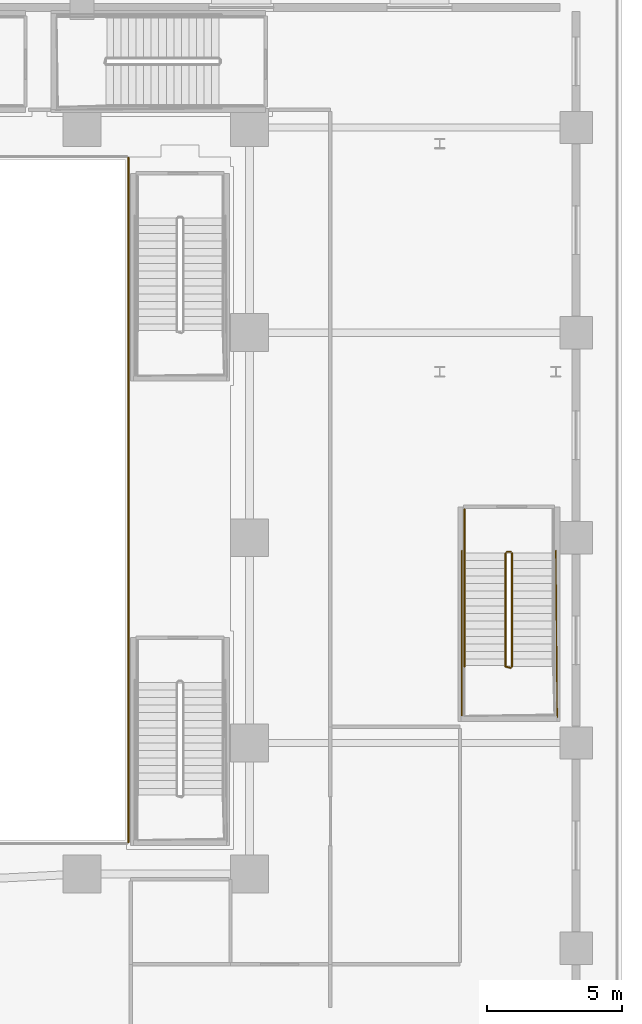
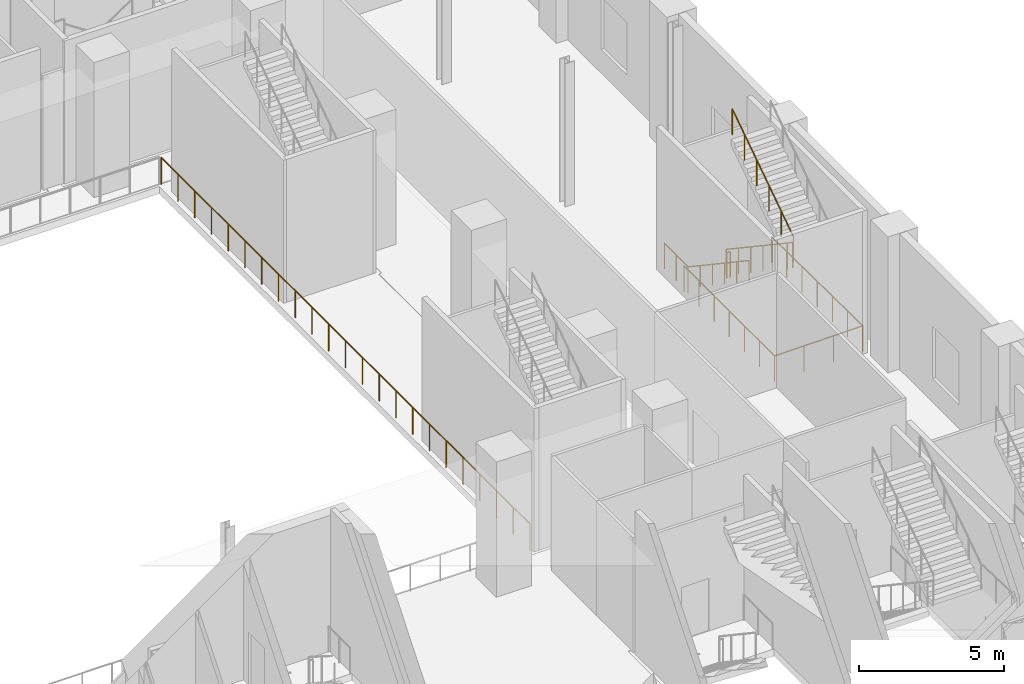
# One storey, part 27 of 29: 7 railings.
"""IFC4 building model written with IfcOpenShell, lengths in metres."""

from ifc_helpers import new_model, si_unit, direction, frame, origin, origin_2d, place, context, subcontext, project, spatial, circle, extrude, material, layer, layer_set, type_object, element, save


model = new_model("IFC4")

# Units and contexts
model_context = context("Model", 3, precision=1e-05, world=origin(), true_north=direction((0.0, 1.0)))
body_context = subcontext(model_context, "Body", "Model", "MODEL_VIEW")
ifc_project = project(units=[si_unit("LENGTHUNIT", "METRE"), si_unit("AREAUNIT", "SQUARE_METRE"), si_unit("VOLUMEUNIT", "CUBIC_METRE"), si_unit("PLANEANGLEUNIT", "RADIAN"), si_unit("MASSUNIT", "GRAM", prefix="KILO")], contexts=[model_context])

# Site, building, storey
site_placement = place(None, origin())
site = spatial("IfcSite", under=ifc_project, at=site_placement, CompositionType="ELEMENT")
building_placement = place(site_placement, origin())
building = spatial("IfcBuilding", under=site, at=building_placement, Name="Ndaravel Arena Tower", CompositionType="ELEMENT")
storey_placement = place(building_placement, frame((0.0, 0.0, 12.0)))
storey = spatial("IfcBuildingStorey", under=building, at=storey_placement, Name="L02", CompositionType="ELEMENT", Elevation=12.0)

# Railings
ifc_material_1 = material(Name="Steel S355", Category="steel")
ifc_layer_1 = layer(ifc_material_1, 0.06005859375)
ifc_layer_set_1 = layer_set([ifc_layer_1], Name="Steel S355")
railing_type_1 = type_object("IfcRailingType", Name="RAIL-STAIR-GD1100", PredefinedType="GUARDRAIL", material=ifc_layer_set_1)
railing_1_placement = place(storey_placement, frame((79.68994140625, 27.22998046875, 0.1875)))
element("IfcRailing", 1, at=railing_1_placement, inside=storey, type_object=railing_type_1, Name="L02 ST-A12 stair guard 1", PredefinedType="GUARDRAIL", context=body_context, shape_type="SweptSolid", body=[
    extrude(circle(Radius=0.02392578125, at=origin_2d()), frame((0.0, 0.0, 1.076171875), z_axis=(0.0, -0.830904186295, 0.556415522067), x_axis=(1.0, 0.0, 0.0)), (0.0, 0.0, 1.0), 5.0546875),
    extrude(circle(Radius=0.02392578125, at=origin_2d()), frame((0.0, -4.199951171875, 3.888671875), z_axis=(0.966993988697, -0.254799187253, 0.0), x_axis=(0.254799187253, 0.966993988697, 0.0)), (0.0, 0.0, 1.0), 0.196533203125),
    extrude(circle(Radius=0.02099609375, at=origin_2d()), origin(), (0.0, 0.0, 1.0), 1.052001953125),
    extrude(circle(Radius=0.02099609375, at=origin_2d()), frame((0.0, -0.840087890625, 0.5625)), (0.0, 0.0, 1.0), 1.052001953125),
    extrude(circle(Radius=0.02099609375, at=origin_2d()), frame((0.0, -1.679931640625, 1.125)), (0.0, 0.0, 1.0), 1.052001953125),
    extrude(circle(Radius=0.02099609375, at=origin_2d()), frame((0.0, -2.52001953125, 1.6875)), (0.0, 0.0, 1.0), 1.052001953125),
    extrude(circle(Radius=0.02099609375, at=origin_2d()), frame((0.0, -3.35986328125, 2.25)), (0.0, 0.0, 1.0), 1.052001953125),
    extrude(circle(Radius=0.02099609375, at=origin_2d()), frame((0.0, -4.199951171875, 2.8125)), (0.0, 0.0, 1.0), 1.052001953125),
    extrude(circle(Radius=0.02099609375, at=origin_2d()), frame((0.18994140625, -4.25, 2.8125)), (0.0, 0.0, 1.0), 1.052001953125),
])
railing_2_placement = place(storey_placement, frame((79.929931640625, 23.030029296875, 3.1875)))
element("IfcRailing", 2, at=railing_2_placement, inside=storey, type_object=railing_type_1, Name="L02 ST-A12 stair guard 3", PredefinedType="GUARDRAIL", context=body_context, shape_type="SweptSolid", body=[
    extrude(circle(Radius=0.02392578125, at=origin_2d()), frame((0.0, 0.0, 1.076171875), z_axis=(0.0, 0.830904186295, 0.556415522067), x_axis=(-1.0, 0.0, 0.0)), (0.0, 0.0, 1.0), 5.0546875),
    extrude(circle(Radius=0.02099609375, at=origin_2d()), origin(), (0.0, 0.0, 1.0), 1.052001953125),
    extrude(circle(Radius=0.02099609375, at=origin_2d()), frame((0.0, 0.840087890625, 0.5625)), (0.0, 0.0, 1.0), 1.052001953125),
    extrude(circle(Radius=0.02099609375, at=origin_2d()), frame((0.0, 1.679931640625, 1.125)), (0.0, 0.0, 1.0), 1.052001953125),
    extrude(circle(Radius=0.02099609375, at=origin_2d()), frame((0.0, 2.52001953125, 1.6875)), (0.0, 0.0, 1.0), 1.052001953125),
    extrude(circle(Radius=0.02099609375, at=origin_2d()), frame((0.0, 3.35986328125, 2.25)), (0.0, 0.0, 1.0), 1.052001953125),
    extrude(circle(Radius=0.02099609375, at=origin_2d()), frame((0.0, 4.199951171875, 2.8125)), (0.0, 0.0, 1.0), 1.052001953125),
])
railing_3_placement = place(storey_placement, frame((79.739990234375, 27.280029296875, 0.0)))
element("IfcRailing", 3, at=railing_3_placement, inside=storey, type_object=railing_type_1, Name="L02 ST-A12 stair guard 4", PredefinedType="GUARDRAIL", context=body_context, shape_type="SweptSolid", body=[
    extrude(circle(Radius=0.02392578125, at=origin_2d()), frame((0.0, 0.0, 1.076171875), z_axis=(1.0, 0.0, 0.0), x_axis=(0.0, 1.0, 0.0)), (0.0, 0.0, 1.0), 0.139892578125),
    extrude(circle(Radius=0.02099609375, at=origin_2d()), origin(), (0.0, 0.0, 1.0), 1.052001953125),
    extrude(circle(Radius=0.02099609375, at=origin_2d()), frame((0.139892578125, 0.0, 0.0)), (0.0, 0.0, 1.0), 1.052001953125),
])
railing_4_placement = place(storey_placement, frame((78.169921875, 28.85009765625, 0.0)))
element("IfcRailing", 4, at=railing_4_placement, inside=storey, type_object=railing_type_1, Name="L02 ST-A12 stair guard 5", PredefinedType="GUARDRAIL", context=body_context, shape_type="SweptSolid", body=[
    extrude(circle(Radius=0.02392578125, at=origin_2d()), frame((0.0, 0.0, 1.076171875), z_axis=(0.0, -1.0, 0.0), x_axis=(1.0, 0.0, 0.0)), (0.0, 0.0, 1.0), 1.6201171875),
    extrude(circle(Radius=0.02099609375, at=origin_2d()), origin(), (0.0, 0.0, 1.0), 1.052001953125),
    extrude(circle(Radius=0.02099609375, at=origin_2d()), frame((0.0, -0.81005859375, 0.0)), (0.0, 0.0, 1.0), 1.052001953125),
    extrude(circle(Radius=0.02099609375, at=origin_2d()), frame((0.0, -1.6201171875, 0.0)), (0.0, 0.0, 1.0), 1.052001953125),
])
railing_5_placement = place(storey_placement, frame((78.070068359375, 27.330078125, 0.0)))
element("IfcRailing", 5, at=railing_5_placement, inside=storey, type_object=railing_type_1, Name="L02 ST-A12 stair guard 7", PredefinedType="GUARDRAIL", context=body_context, shape_type="SweptSolid", body=[
    extrude(circle(Radius=0.02392578125, at=origin_2d()), frame((0.0, 0.0, 1.076171875), z_axis=(0.0, -1.0, 0.0), x_axis=(1.0, 0.0, 0.0)), (0.0, 0.0, 1.0), 6.22998046875),
    extrude(circle(Radius=0.02392578125, at=origin_2d()), frame((0.0, -6.22998046875, 1.076171875), z_axis=(0.999900484898, 0.014107455489, 0.0), x_axis=(-0.014107455489, 0.999900484898, 0.0)), (0.0, 0.0, 1.0), 3.5302734375),
    extrude(circle(Radius=0.02392578125, at=origin_2d()), frame((3.530029296875, -6.18017578125, 1.076171875), z_axis=(-0.008098019995, 0.999967210499, 0.0), x_axis=(-0.999967210499, -0.008098019995, 0.0)), (0.0, 0.0, 1.0), 6.180419921875),
    extrude(circle(Radius=0.02099609375, at=origin_2d()), origin(), (0.0, 0.0, 1.0), 1.052001953125),
    extrude(circle(Radius=0.02099609375, at=origin_2d()), frame((0.0, -1.038330078125, 0.0)), (0.0, 0.0, 1.0), 1.052001953125),
    extrude(circle(Radius=0.02099609375, at=origin_2d()), frame((0.0, -2.07666015625, 0.0)), (0.0, 0.0, 1.0), 1.052001953125),
    extrude(circle(Radius=0.02099609375, at=origin_2d()), frame((0.0, -3.114990234375, 0.0)), (0.0, 0.0, 1.0), 1.052001953125),
    extrude(circle(Radius=0.02099609375, at=origin_2d()), frame((0.0, -4.1533203125, 0.0)), (0.0, 0.0, 1.0), 1.052001953125),
    extrude(circle(Radius=0.02099609375, at=origin_2d()), frame((0.0, -5.191650390625, 0.0)), (0.0, 0.0, 1.0), 1.052001953125),
    extrude(circle(Radius=0.02099609375, at=origin_2d()), frame((0.0, -6.22998046875, 0.0)), (0.0, 0.0, 1.0), 1.052001953125),
    extrude(circle(Radius=0.02099609375, at=origin_2d()), frame((1.1767578125, -6.21337890625, 0.0)), (0.0, 0.0, 1.0), 1.052001953125),
    extrude(circle(Radius=0.02099609375, at=origin_2d()), frame((2.353271484375, -6.19677734375, 0.0)), (0.0, 0.0, 1.0), 1.052001953125),
    extrude(circle(Radius=0.02099609375, at=origin_2d()), frame((3.530029296875, -6.18017578125, 0.0)), (0.0, 0.0, 1.0), 1.052001953125),
    extrude(circle(Radius=0.02099609375, at=origin_2d()), frame((3.521728515625, -5.150146484375, 0.0)), (0.0, 0.0, 1.0), 1.052001953125),
    extrude(circle(Radius=0.02099609375, at=origin_2d()), frame((3.513427734375, -4.1201171875, 0.0)), (0.0, 0.0, 1.0), 1.052001953125),
    extrude(circle(Radius=0.02099609375, at=origin_2d()), frame((3.5048828125, -3.090087890625, 0.0)), (0.0, 0.0, 1.0), 1.052001953125),
    extrude(circle(Radius=0.02099609375, at=origin_2d()), frame((3.49658203125, -2.06005859375, 0.0)), (0.0, 0.0, 1.0), 1.052001953125),
    extrude(circle(Radius=0.02099609375, at=origin_2d()), frame((3.48828125, -1.030029296875, 0.0)), (0.0, 0.0, 1.0), 1.052001953125),
    extrude(circle(Radius=0.02099609375, at=origin_2d()), frame((3.47998046875, 0.0, 0.0)), (0.0, 0.0, 1.0), 1.052001953125),
])
ifc_material_2 = material(Name="Steel S355", Category="steel")
ifc_layer_2 = layer(ifc_material_2, 0.050048828125)
ifc_layer_set_2 = layer_set([ifc_layer_2], Name="Steel S355")
railing_type_2 = type_object("IfcRailingType", Name="RAIL-STAIR-HR920", PredefinedType="HANDRAIL", material=ifc_layer_set_2)
railing_6_placement = place(storey_placement, frame((78.169921875, 27.22998046875, 0.1875)))
element("IfcRailing", 6, at=railing_6_placement, inside=storey, type_object=railing_type_2, Name="L02 ST-A12 stair handrail 1", PredefinedType="HANDRAIL", context=body_context, shape_type="SweptSolid", body=[
    extrude(circle(Radius=0.02392578125, at=origin_2d()), frame((0.0, 0.0, 0.8759765625), z_axis=(0.0, -0.830904186295, 0.556415522067), x_axis=(1.0, 0.0, 0.0)), (0.0, 0.0, 1.0), 5.0546875),
    extrude(circle(Radius=0.02099609375, at=origin_2d()), origin(), (0.0, 0.0, 1.0), 0.851806640625),
    extrude(circle(Radius=0.02099609375, at=origin_2d()), frame((0.0, -0.840087890625, 0.5625)), (0.0, 0.0, 1.0), 0.851806640625),
    extrude(circle(Radius=0.02099609375, at=origin_2d()), frame((0.0, -1.679931640625, 1.125)), (0.0, 0.0, 1.0), 0.851806640625),
    extrude(circle(Radius=0.02099609375, at=origin_2d()), frame((0.0, -2.52001953125, 1.6875)), (0.0, 0.0, 1.0), 0.851806640625),
    extrude(circle(Radius=0.02099609375, at=origin_2d()), frame((0.0, -3.35986328125, 2.25)), (0.0, 0.0, 1.0), 0.851806640625),
    extrude(circle(Radius=0.02099609375, at=origin_2d()), frame((0.0, -4.199951171875, 2.8125)), (0.0, 0.0, 1.0), 0.851806640625),
])
ifc_material_3 = material(Name="Glazing", Category="glass")
ifc_layer_3 = layer(ifc_material_3, 0.070068359375)
ifc_layer_set_3 = layer_set([ifc_layer_3], Name="Glazing")
railing_type_3 = type_object("IfcRailingType", Name="RAIL-TERRACE-1150", PredefinedType="BALUSTRADE", material=ifc_layer_set_3)
railing_7_placement = place(storey_placement, frame((65.719970703125, 16.52001953125, 0.0)))
element("IfcRailing", 7, at=railing_7_placement, inside=storey, type_object=railing_type_3, Name="L02 Arena Bowl Concourse E Balustrade", PredefinedType="BALUSTRADE", context=body_context, shape_type="SweptSolid", body=[
    extrude(circle(Radius=0.02392578125, at=origin_2d()), frame((0.0, 0.0, 1.1259765625), z_axis=(0.0, 1.0, 0.0), x_axis=(-1.0, 0.0, 0.0)), (0.0, 0.0, 1.0), 25.35986328125),
    extrude(circle(Radius=0.02099609375, at=origin_2d()), origin(), (0.0, 0.0, 1.0), 1.101806640625),
    extrude(circle(Radius=0.02099609375, at=origin_2d()), frame((0.0, 1.15283203125, 0.0)), (0.0, 0.0, 1.0), 1.101806640625),
    extrude(circle(Radius=0.02099609375, at=origin_2d()), frame((0.0, 2.305419921875, 0.0)), (0.0, 0.0, 1.0), 1.101806640625),
    extrude(circle(Radius=0.02099609375, at=origin_2d()), frame((0.0, 3.458251953125, 0.0)), (0.0, 0.0, 1.0), 1.101806640625),
    extrude(circle(Radius=0.02099609375, at=origin_2d()), frame((0.0, 4.61083984375, 0.0)), (0.0, 0.0, 1.0), 1.101806640625),
    extrude(circle(Radius=0.02099609375, at=origin_2d()), frame((0.0, 5.763671875, 0.0)), (0.0, 0.0, 1.0), 1.101806640625),
    extrude(circle(Radius=0.02099609375, at=origin_2d()), frame((0.0, 6.916259765625, 0.0)), (0.0, 0.0, 1.0), 1.101806640625),
    extrude(circle(Radius=0.02099609375, at=origin_2d()), frame((0.0, 8.069091796875, 0.0)), (0.0, 0.0, 1.0), 1.101806640625),
    extrude(circle(Radius=0.02099609375, at=origin_2d()), frame((0.0, 9.2216796875, 0.0)), (0.0, 0.0, 1.0), 1.101806640625),
    extrude(circle(Radius=0.02099609375, at=origin_2d()), frame((0.0, 10.37451171875, 0.0)), (0.0, 0.0, 1.0), 1.101806640625),
    extrude(circle(Radius=0.02099609375, at=origin_2d()), frame((0.0, 11.527099609375, 0.0)), (0.0, 0.0, 1.0), 1.101806640625),
    extrude(circle(Radius=0.02099609375, at=origin_2d()), frame((0.0, 12.679931640625, 0.0)), (0.0, 0.0, 1.0), 1.101806640625),
    extrude(circle(Radius=0.02099609375, at=origin_2d()), frame((0.0, 13.832763671875, 0.0)), (0.0, 0.0, 1.0), 1.101806640625),
    extrude(circle(Radius=0.02099609375, at=origin_2d()), frame((0.0, 14.9853515625, 0.0)), (0.0, 0.0, 1.0), 1.101806640625),
    extrude(circle(Radius=0.02099609375, at=origin_2d()), frame((0.0, 16.13818359375, 0.0)), (0.0, 0.0, 1.0), 1.101806640625),
    extrude(circle(Radius=0.02099609375, at=origin_2d()), frame((0.0, 17.290771484375, 0.0)), (0.0, 0.0, 1.0), 1.101806640625),
    extrude(circle(Radius=0.02099609375, at=origin_2d()), frame((0.0, 18.443603515625, 0.0)), (0.0, 0.0, 1.0), 1.101806640625),
    extrude(circle(Radius=0.02099609375, at=origin_2d()), frame((0.0, 19.59619140625, 0.0)), (0.0, 0.0, 1.0), 1.101806640625),
    extrude(circle(Radius=0.02099609375, at=origin_2d()), frame((0.0, 20.7490234375, 0.0)), (0.0, 0.0, 1.0), 1.101806640625),
    extrude(circle(Radius=0.02099609375, at=origin_2d()), frame((0.0, 21.901611328125, 0.0)), (0.0, 0.0, 1.0), 1.101806640625),
    extrude(circle(Radius=0.02099609375, at=origin_2d()), frame((0.0, 23.054443359375, 0.0)), (0.0, 0.0, 1.0), 1.101806640625),
    extrude(circle(Radius=0.02099609375, at=origin_2d()), frame((0.0, 24.20703125, 0.0)), (0.0, 0.0, 1.0), 1.101806640625),
    extrude(circle(Radius=0.02099609375, at=origin_2d()), frame((0.0, 25.35986328125, 0.0)), (0.0, 0.0, 1.0), 1.101806640625),
])

save(model, "model.ifc")
